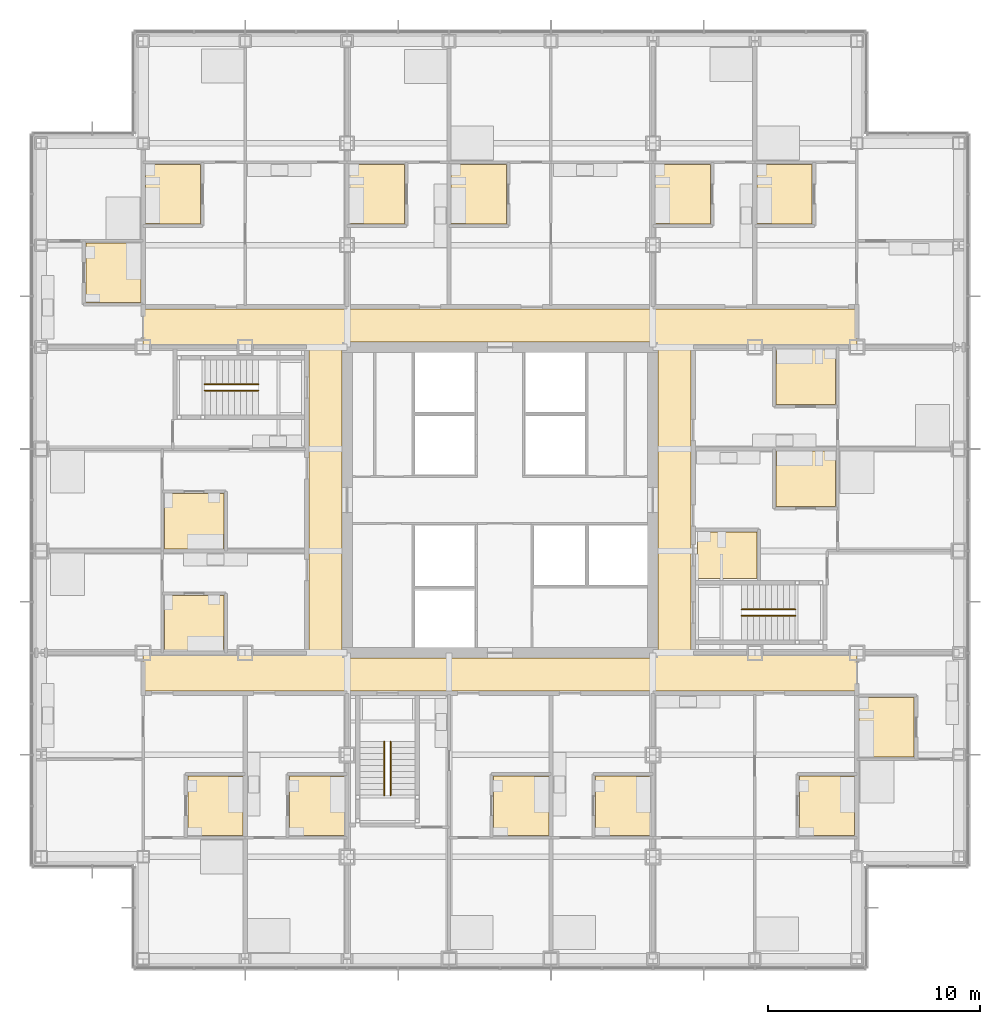
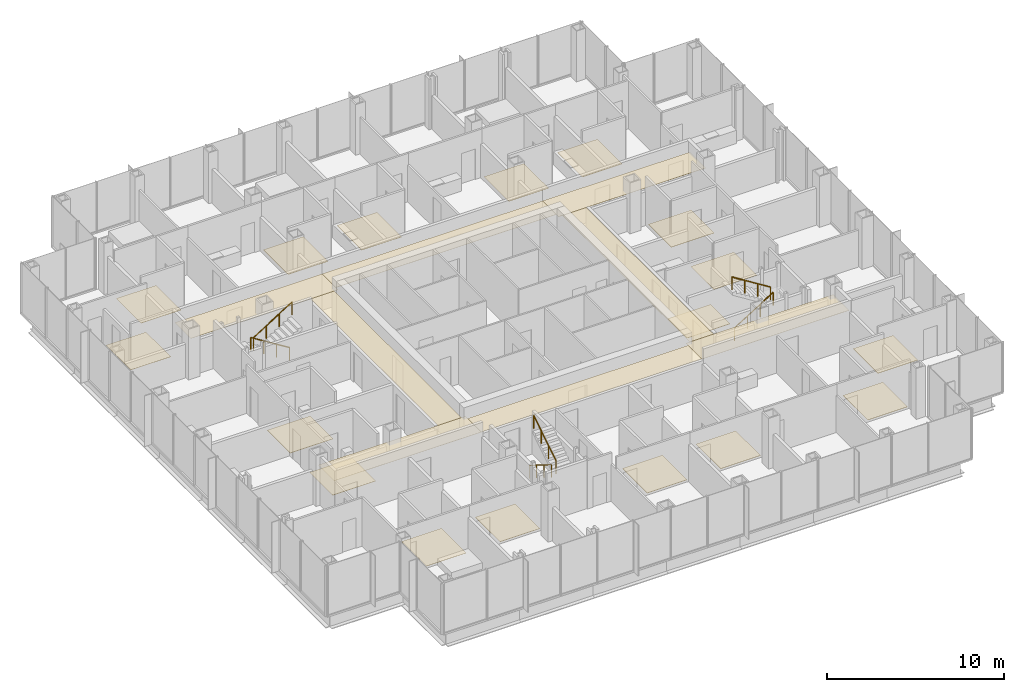
# One storey, part 19 of 21: 25 coverings, 6 railings.
"""IFC4 building model written with IfcOpenShell, lengths in metres."""

import ifcopenshell
import ifcopenshell.guid

model = None  # the IFC model being written
_history = None  # IfcOwnerHistory: only IFC2X3 demands one
_inside = {}  # id of a spatial element -> (the spatial element, [elements in it])
_under = {}  # id of a project, library or spatial element -> (it, [spatial elements below it])
_declared = {}  # id of a project -> (the project, [libraries it declares])
_typed = {}  # id of a type object -> (the type object, [elements of that type])
_made_of = {}  # id of a material, layer set ... -> (it, [elements and type objects made of it])


def new_model(schema):
    """Start an empty IFC model of exactly this schema.

    Asked for "IFC4X3", IfcOpenShell would pick the latest addendum, in which some entities
    have other attributes; the version numbers below select the first issue.
    IFC2X3 requires an IfcOwnerHistory on every rooted entity: one is made here for all.
    """
    global model, _history
    if schema == "IFC4X3":
        model = ifcopenshell.file(schema_version=(4, 3, 0, 0))
    else:
        model = ifcopenshell.file(schema=schema)
    _inside.clear()
    _under.clear()
    _declared.clear()
    _typed.clear()
    _made_of.clear()
    _history = None
    if model.schema == "IFC2X3":
        org = make("IfcOrganization", Name="unknown")
        user = make(
            "IfcPersonAndOrganization",
            ThePerson=make("IfcPerson", FamilyName="unknown"),
            TheOrganization=org,
        )
        app = make(
            "IfcApplication",
            ApplicationDeveloper=org,
            Version="unknown",
            ApplicationFullName="unknown",
            ApplicationIdentifier="unknown",
        )
        _history = make(
            "IfcOwnerHistory",
            OwningUser=user,
            OwningApplication=app,
            ChangeAction="ADDED",
            CreationDate=0,
        )
    return model


def make(cls, **values):
    """One entity of the class cls with the attributes given. An attribute that is None is left unset."""
    return model.create_entity(
        cls, **{name: value for name, value in values.items() if value is not None}
    )


def rooted(cls, **values):
    """An entity with a GlobalId (a new one), such as an element, a storey or a relation."""
    return make(cls, GlobalId=ifcopenshell.guid.new(), OwnerHistory=_history, **values)


def si_unit(unit_type, name, prefix=None):
    """IfcSIUnit, for example si_unit("LENGTHUNIT", "METRE", prefix="MILLI")."""
    return make("IfcSIUnit", UnitType=unit_type, Prefix=prefix, Name=name)


def assignment(units):
    """IfcUnitAssignment: the units of a project."""
    return None if units is None else make("IfcUnitAssignment", Units=units)


def point(xyz):
    """IfcCartesianPoint."""
    return None if xyz is None else make("IfcCartesianPoint", Coordinates=xyz)


def direction(xyz):
    """IfcDirection."""
    return None if xyz is None else make("IfcDirection", DirectionRatios=xyz)


def frame(location, z_axis=None, x_axis=None):
    """IfcAxis2Placement3D, a coordinate frame: its origin and axes. An axis left out is left unset."""
    return make(
        "IfcAxis2Placement3D",
        Location=point(location),
        Axis=direction(z_axis),
        RefDirection=direction(x_axis),
    )


def frame_2d(location, x_axis=None):
    """IfcAxis2Placement2D, a coordinate frame in the plane: its origin and x axis."""
    return make(
        "IfcAxis2Placement2D", Location=point(location), RefDirection=direction(x_axis)
    )


def origin():
    """The frame at (0, 0, 0) with its axes left unset."""
    return frame((0.0, 0.0, 0.0))


def origin_2d():
    """The frame at (0, 0) in the plane with its x axis left unset."""
    return frame_2d((0.0, 0.0))


def place(relative_to, where):
    """IfcLocalPlacement: puts the frame where relative to a parent placement (None: the world)."""
    return make(
        "IfcLocalPlacement", PlacementRelTo=relative_to, RelativePlacement=where
    )


def context(
    kind, dimensions, precision=None, world=None, true_north=None, identifier=None
):
    """IfcGeometricRepresentationContext, for example the 3D "Model" context."""
    return make(
        "IfcGeometricRepresentationContext",
        ContextIdentifier=identifier,
        ContextType=kind,
        CoordinateSpaceDimension=dimensions,
        Precision=precision,
        WorldCoordinateSystem=world,
        TrueNorth=true_north,
    )


def subcontext(parent, identifier, kind, view, scale=None):
    """IfcGeometricRepresentationSubContext, for example "Body" below "Model"."""
    return make(
        "IfcGeometricRepresentationSubContext",
        ContextIdentifier=identifier,
        ContextType=kind,
        ParentContext=parent,
        TargetScale=scale,
        TargetView=view,
    )


def project(units=None, contexts=None):
    """IfcProject with its units and contexts."""
    return rooted(
        "IfcProject",
        Name="project",
        RepresentationContexts=contexts,
        UnitsInContext=assignment(units),
    )


def spatial(cls, under=None, at=None, **own):
    """A site, building, storey or space (cls), placed at a placement, below another one or the project."""
    s = rooted(cls, ObjectPlacement=at, **own)
    if under is not None:
        _under.setdefault(under.id(), (under, []))[1].append(s)
    return s


def polyline(points):
    """IfcPolyline through the points."""
    return make("IfcPolyline", Points=[point(p) for p in points])


def profile(cls, at=None, kind="AREA", **sizes):
    """A parametric profile (cls). Its sizes go by their IFC names, for example OverallWidth=200.0."""
    return make(cls, ProfileType=kind, Position=at, **sizes)


def circle(**sizes):
    """IfcCircleProfileDef."""
    return profile("IfcCircleProfileDef", **sizes)


def outline(outer, holes=None, kind="AREA"):
    """IfcArbitraryClosedProfileDef: a profile drawn as a closed curve; with holes, ...WithVoids."""
    if holes is None:
        return make("IfcArbitraryClosedProfileDef", ProfileType=kind, OuterCurve=outer)
    return make(
        "IfcArbitraryProfileDefWithVoids",
        ProfileType=kind,
        OuterCurve=outer,
        InnerCurves=holes,
    )


def extrude(swept, where, along, depth):
    """IfcExtrudedAreaSolid: the profile swept, set in the frame where, extruded along a direction by depth."""
    return make(
        "IfcExtrudedAreaSolid",
        SweptArea=swept,
        Position=where,
        ExtrudedDirection=direction(along),
        Depth=depth,
    )


def shape(context_of_items, identifier, shape_type, items):
    """IfcShapeRepresentation: the items that make up one representation, for example the "Body"."""
    return make(
        "IfcShapeRepresentation",
        ContextOfItems=context_of_items,
        RepresentationIdentifier=identifier,
        RepresentationType=shape_type,
        Items=items,
    )


def material(Name=None, Category=None):
    """IfcMaterial."""
    return make("IfcMaterial", Name=Name, Category=Category)


def layer(
    of_material, thickness, ventilated=None, Name=None, Category=None, Priority=None
):
    """IfcMaterialLayer: one layer of a wall or slab, of a material (None: an air gap)."""
    return make(
        "IfcMaterialLayer",
        Material=of_material,
        LayerThickness=thickness,
        IsVentilated=ventilated,
        Name=Name,
        Category=Category,
        Priority=Priority,
    )


def layer_set(layers, Name=None):
    """IfcMaterialLayerSet."""
    return make("IfcMaterialLayerSet", MaterialLayers=layers, LayerSetName=Name)


def made_of(thing, what):
    """Note that an element or type object is made of a material, layer set ...; save() writes the relation."""
    if what is not None:
        _made_of.setdefault(what.id(), (what, []))[1].append(thing)
    return thing


def type_object(cls, material=None, **own):
    """A type object (cls), such as IfcWallType, which elements share."""
    return made_of(rooted(cls, **own), material)


def element(
    cls,
    number,
    at=None,
    inside=None,
    cuts=None,
    type_object=None,
    material=None,
    context=None,
    identifier="Body",
    shape_type=None,
    held_by="IfcProductDefinitionShape",
    body=None,
    shapes=None,
    **own,
):
    """One element of the class cls, such as IfcWall. Its Tag is "e" and its number.

    at: its placement. inside: the storey or other place that contains it. cuts: it is an
    opening in that element (IfcRelVoidsElement). A single representation is given by context,
    identifier, shape_type and body (its items); several are given by shapes. held_by: the class
    of the entity that holds the representations. save() writes the other relations.
    """
    e = rooted(cls, Tag="e%d" % number, ObjectPlacement=at, **own)
    if body is not None:
        shapes = [shape(context, identifier, shape_type, body)]
    if shapes is not None:
        e.Representation = make(held_by, Representations=shapes)
    if inside is not None:
        _inside.setdefault(inside.id(), (inside, []))[1].append(e)
    if cuts is not None:
        rooted(
            "IfcRelVoidsElement", RelatingBuildingElement=cuts, RelatedOpeningElement=e
        )
    if type_object is not None:
        _typed.setdefault(type_object.id(), (type_object, []))[1].append(e)
    return made_of(e, material)


def aggregate(whole, parts):
    """IfcRelAggregates: a whole, such as a stair, and the parts it consists of."""
    return rooted("IfcRelAggregates", RelatingObject=whole, RelatedObjects=parts)


def save(model, path):
    """Write the relations noted so far, then the file.

    IfcRelAggregates (storeys below a building ...), IfcRelContainedInSpatialStructure (elements
    in a storey), IfcRelDefinesByType, IfcRelAssociatesMaterial and IfcRelDeclares: one each for
    every whole, place, type object, material and project.
    """
    for whole, parts in _under.values():
        aggregate(whole, parts)
    for where, things in _inside.values():
        rooted(
            "IfcRelContainedInSpatialStructure",
            RelatedElements=things,
            RelatingStructure=where,
        )
    for kind, things in _typed.values():
        rooted("IfcRelDefinesByType", RelatedObjects=things, RelatingType=kind)
    for what, things in _made_of.values():
        rooted("IfcRelAssociatesMaterial", RelatedObjects=things, RelatingMaterial=what)
    for by, libraries in _declared.values():
        rooted("IfcRelDeclares", RelatingContext=by, RelatedDefinitions=libraries)
    model.write(path)


model = new_model("IFC4")

# Units and contexts
model_context = context("Model", 3, precision=1e-05, world=origin(), true_north=direction((0.0, 1.0)))
body_context = subcontext(model_context, "Body", "Model", "MODEL_VIEW")
ifc_project = project(units=[si_unit("LENGTHUNIT", "METRE"), si_unit("AREAUNIT", "SQUARE_METRE"), si_unit("VOLUMEUNIT", "CUBIC_METRE"), si_unit("PLANEANGLEUNIT", "RADIAN"), si_unit("MASSUNIT", "GRAM", prefix="KILO")], contexts=[model_context])

# Site, building, storey
site_placement = place(None, origin())
site = spatial("IfcSite", under=ifc_project, at=site_placement, CompositionType="ELEMENT")
building_placement = place(site_placement, origin())
building = spatial("IfcBuilding", under=site, at=building_placement, Name="Kvirike Care Tower", CompositionType="ELEMENT")
storey_placement = place(building_placement, frame((0.0, 0.0, 34.0)))
storey = spatial("IfcBuildingStorey", under=building, at=storey_placement, Name="L08", CompositionType="ELEMENT", Elevation=34.0)

# Coverings
ifc_material_1 = material(Name="Perforated metal ceiling tile", Category="aluminium")
ifc_layer_1 = layer(ifc_material_1, 0.014892578125)
ifc_layer_set_1 = layer_set([ifc_layer_1], Name="CORRIDOR CEILING 15")
covering_type_1 = type_object("IfcCoveringType", Name="CORRIDOR CEILING 15", PredefinedType="CEILING", material=ifc_layer_set_1)
covering_1_placement = place(storey_placement, frame((0.0, 0.0, 2.5)))
element("IfcCovering", 1, at=covering_1_placement, inside=storey, type_object=covering_type_1, Name="Corridor ceiling L08", PredefinedType="CEILING", context=body_context, shape_type="SweptSolid", body=[
    extrude(outline(polyline([(4.800048828125, 27.0), (4.800048828125, 28.800048828125), (14.39990234375, 28.800048828125), (14.39990234375, 27.0), (4.800048828125, 27.0)])), origin(), (0.0, 0.0, 1.0), 0.014892578125),
])
covering_2_placement = place(storey_placement, frame((0.0, 0.0, 2.5)))
element("IfcCovering", 2, at=covering_2_placement, inside=storey, type_object=covering_type_1, Name="Corridor ceiling L08", PredefinedType="CEILING", context=body_context, shape_type="SweptSolid", body=[
    extrude(outline(polyline([(12.60009765625, 43.199951171875), (14.14990234375, 43.199951171875), (14.14990234375, 28.800048828125), (12.60009765625, 28.800048828125), (12.60009765625, 43.199951171875)])), origin(), (0.0, 0.0, 1.0), 0.014892578125),
])
covering_3_placement = place(storey_placement, frame((0.0, 0.0, 2.5)))
element("IfcCovering", 3, at=covering_3_placement, inside=storey, type_object=covering_type_1, Name="Corridor ceiling L08", PredefinedType="CEILING", context=body_context, shape_type="SweptSolid", body=[
    extrude(outline(polyline([(14.39990234375, 45.0), (14.39990234375, 43.199951171875), (4.800048828125, 43.199951171875), (4.800048828125, 45.0), (14.39990234375, 45.0)])), origin(), (0.0, 0.0, 1.0), 0.014892578125),
])
covering_4_placement = place(storey_placement, frame((0.0, 0.0, 2.5)))
element("IfcCovering", 4, at=covering_4_placement, inside=storey, type_object=covering_type_1, Name="Corridor ceiling L08", PredefinedType="CEILING", context=body_context, shape_type="SweptSolid", body=[
    extrude(outline(polyline([(14.39990234375, 27.0), (14.39990234375, 28.550048828125), (28.800048828125, 28.550048828125), (28.800048828125, 27.0), (14.39990234375, 27.0)])), origin(), (0.0, 0.0, 1.0), 0.014892578125),
])
covering_5_placement = place(storey_placement, frame((0.0, 0.0, 2.5)))
element("IfcCovering", 5, at=covering_5_placement, inside=storey, type_object=covering_type_1, Name="Corridor ceiling L08", PredefinedType="CEILING", context=body_context, shape_type="SweptSolid", body=[
    extrude(outline(polyline([(28.800048828125, 45.0), (28.800048828125, 43.449951171875), (14.39990234375, 43.449951171875), (14.39990234375, 45.0), (28.800048828125, 45.0)])), origin(), (0.0, 0.0, 1.0), 0.014892578125),
])
covering_6_placement = place(storey_placement, frame((0.0, 0.0, 2.5)))
element("IfcCovering", 6, at=covering_6_placement, inside=storey, type_object=covering_type_1, Name="Corridor ceiling L08", PredefinedType="CEILING", context=body_context, shape_type="SweptSolid", body=[
    extrude(outline(polyline([(28.800048828125, 27.0), (28.800048828125, 28.800048828125), (38.39990234375, 28.800048828125), (38.39990234375, 27.0), (28.800048828125, 27.0)])), origin(), (0.0, 0.0, 1.0), 0.014892578125),
])
covering_7_placement = place(storey_placement, frame((0.0, 0.0, 2.5)))
element("IfcCovering", 7, at=covering_7_placement, inside=storey, type_object=covering_type_1, Name="Corridor ceiling L08", PredefinedType="CEILING", context=body_context, shape_type="SweptSolid", body=[
    extrude(outline(polyline([(30.60009765625, 28.800048828125), (29.050048828125, 28.800048828125), (29.050048828125, 43.199951171875), (30.60009765625, 43.199951171875), (30.60009765625, 28.800048828125)])), origin(), (0.0, 0.0, 1.0), 0.014892578125),
])
covering_8_placement = place(storey_placement, frame((0.0, 0.0, 2.5)))
element("IfcCovering", 8, at=covering_8_placement, inside=storey, type_object=covering_type_1, Name="Corridor ceiling L08", PredefinedType="CEILING", context=body_context, shape_type="SweptSolid", body=[
    extrude(outline(polyline([(38.39990234375, 45.0), (38.39990234375, 43.199951171875), (28.800048828125, 43.199951171875), (28.800048828125, 45.0), (38.39990234375, 45.0)])), origin(), (0.0, 0.0, 1.0), 0.014892578125),
])

# Railings
ifc_material_2 = material(Name="Stainless steel handrail", Category="steel")
railing_type = type_object("IfcRailingType", Name="STAIR HANDRAIL 900", PredefinedType="HANDRAIL", material=ifc_material_2)
railing_1_placement = place(storey_placement, frame((10.219970703125, 41.449951171875, 0.175048828125)))
element("IfcRailing", 9, at=railing_1_placement, inside=storey, type_object=railing_type, Name="Stair 1 handrail L08 flight 1", PredefinedType="HANDRAIL", context=body_context, shape_type="SweptSolid", body=[
    extrude(circle(Radius=0.02490234375, at=origin_2d()), frame((0.0, 0.0, 0.875), z_axis=(-0.848007534815, 0.0, 0.529984170421), x_axis=(0.0, -1.0, 0.0)), (0.0, 0.0, 1.0), 2.9716796875),
    extrude(circle(Radius=0.02001953125, at=origin_2d()), origin(), (0.0, 0.0, 1.0), 0.849853515625),
    extrude(circle(Radius=0.02001953125, at=origin_2d()), frame((-0.840087890625, 0.0, 0.52490234375)), (0.0, 0.0, 1.0), 0.849853515625),
    extrude(circle(Radius=0.02001953125, at=origin_2d()), frame((-1.679931640625, 0.0, 1.050048828125)), (0.0, 0.0, 1.0), 0.849853515625),
    extrude(circle(Radius=0.02001953125, at=origin_2d()), frame((-2.52001953125, 0.0, 1.574951171875)), (0.0, 0.0, 1.0), 0.849853515625),
])
for number, where, name in (
    (10, (7.699951171875, 41.14990234375, 1.925048828125), "Stair 1 handrail L08 flight 2"),
    (11, (32.97998046875, 30.550048828125, 0.175048828125), "Stair 2 handrail L08 flight 1"),
):
    element("IfcRailing", number, at=place(storey_placement, frame(where)), inside=storey, type_object=railing_type, Name=name, PredefinedType="HANDRAIL", context=body_context, shape_type="SweptSolid", body=[
        extrude(circle(Radius=0.02490234375, at=origin_2d()), frame((0.0, 0.0, 0.875), z_axis=(0.848007534815, 0.0, 0.529984170421), x_axis=(0.0, 1.0, 0.0)), (0.0, 0.0, 1.0), 2.9716796875),
        extrude(circle(Radius=0.02001953125, at=origin_2d()), origin(), (0.0, 0.0, 1.0), 0.849853515625),
        extrude(circle(Radius=0.02001953125, at=origin_2d()), frame((0.840087890625, 0.0, 0.52490234375)), (0.0, 0.0, 1.0), 0.849853515625),
        extrude(circle(Radius=0.02001953125, at=origin_2d()), frame((1.679931640625, 0.0, 1.050048828125)), (0.0, 0.0, 1.0), 0.849853515625),
        extrude(circle(Radius=0.02001953125, at=origin_2d()), frame((2.52001953125, 0.0, 1.574951171875)), (0.0, 0.0, 1.0), 0.849853515625),
    ])
railing_2_placement = place(storey_placement, frame((35.5, 30.85009765625, 1.925048828125)))
element("IfcRailing", 12, at=railing_2_placement, inside=storey, type_object=railing_type, Name="Stair 2 handrail L08 flight 2", PredefinedType="HANDRAIL", context=body_context, shape_type="SweptSolid", body=[
    extrude(circle(Radius=0.02490234375, at=origin_2d()), frame((0.0, 0.0, 0.875), z_axis=(-0.848007534815, 0.0, 0.529984170421), x_axis=(0.0, -1.0, 0.0)), (0.0, 0.0, 1.0), 2.9716796875),
    extrude(circle(Radius=0.02001953125, at=origin_2d()), origin(), (0.0, 0.0, 1.0), 0.849853515625),
    extrude(circle(Radius=0.02001953125, at=origin_2d()), frame((-0.840087890625, 0.0, 0.52490234375)), (0.0, 0.0, 1.0), 0.849853515625),
    extrude(circle(Radius=0.02001953125, at=origin_2d()), frame((-1.679931640625, 0.0, 1.050048828125)), (0.0, 0.0, 1.0), 0.849853515625),
    extrude(circle(Radius=0.02001953125, at=origin_2d()), frame((-2.52001953125, 0.0, 1.574951171875)), (0.0, 0.0, 1.0), 0.849853515625),
])
railing_3_placement = place(storey_placement, frame((16.14990234375, 24.6201171875, 0.175048828125)))
element("IfcRailing", 13, at=railing_3_placement, inside=storey, type_object=railing_type, Name="Stair 5 handrail L08 flight 1", PredefinedType="HANDRAIL", context=body_context, shape_type="SweptSolid", body=[
    extrude(circle(Radius=0.02490234375, at=origin_2d()), frame((0.0, 0.0, 0.875), z_axis=(0.0, -0.848007534815, 0.529984170421), x_axis=(1.0, 0.0, 0.0)), (0.0, 0.0, 1.0), 2.9716796875),
    extrude(circle(Radius=0.02001953125, at=origin_2d()), origin(), (0.0, 0.0, 1.0), 0.849853515625),
    extrude(circle(Radius=0.02001953125, at=origin_2d()), frame((0.0, -0.840087890625, 0.52490234375)), (0.0, 0.0, 1.0), 0.849853515625),
    extrude(circle(Radius=0.02001953125, at=origin_2d()), frame((0.0, -1.679931640625, 1.050048828125)), (0.0, 0.0, 1.0), 0.849853515625),
    extrude(circle(Radius=0.02001953125, at=origin_2d()), frame((0.0, -2.52001953125, 1.574951171875)), (0.0, 0.0, 1.0), 0.849853515625),
])
railing_4_placement = place(storey_placement, frame((16.449951171875, 22.10009765625, 1.925048828125)))
element("IfcRailing", 14, at=railing_4_placement, inside=storey, type_object=railing_type, Name="Stair 5 handrail L08 flight 2", PredefinedType="HANDRAIL", context=body_context, shape_type="SweptSolid", body=[
    extrude(circle(Radius=0.02490234375, at=origin_2d()), frame((0.0, 0.0, 0.875), z_axis=(0.0, 0.848007534815, 0.529984170421), x_axis=(-1.0, 0.0, 0.0)), (0.0, 0.0, 1.0), 2.9716796875),
    extrude(circle(Radius=0.02001953125, at=origin_2d()), origin(), (0.0, 0.0, 1.0), 0.849853515625),
    extrude(circle(Radius=0.02001953125, at=origin_2d()), frame((0.0, 0.840087890625, 0.52490234375)), (0.0, 0.0, 1.0), 0.849853515625),
    extrude(circle(Radius=0.02001953125, at=origin_2d()), frame((0.0, 1.679931640625, 1.050048828125)), (0.0, 0.0, 1.0), 0.849853515625),
    extrude(circle(Radius=0.02001953125, at=origin_2d()), frame((0.0, 2.52001953125, 1.574951171875)), (0.0, 0.0, 1.0), 0.849853515625),
])

# Coverings
ifc_material_3 = material(Name="Slip-resistant vinyl safety flooring on screed")
ifc_layer_2 = layer(ifc_material_3, 0.02001953125)
ifc_layer_set_2 = layer_set([ifc_layer_2], Name="WET ROOM FLOOR 20")
covering_type_2 = type_object("IfcCoveringType", Name="WET ROOM FLOOR 20", PredefinedType="FLOORING", material=ifc_layer_set_2)
covering_9_placement = place(storey_placement, origin())
element("IfcCovering", 15, at=covering_9_placement, inside=storey, type_object=covering_type_2, Name="Bathroom floor L08-004", PredefinedType="FLOORING", context=body_context, shape_type="SweptSolid", body=[
    extrude(outline(polyline([(6.89990234375, 20.199951171875), (6.89990234375, 23.0), (9.5, 23.0), (9.5, 20.199951171875), (6.89990234375, 20.199951171875)])), origin(), (0.0, 0.0, 1.0), 0.02001953125),
])
covering_10_placement = place(storey_placement, origin())
element("IfcCovering", 16, at=covering_10_placement, inside=storey, type_object=covering_type_2, Name="Bathroom floor L08-008", PredefinedType="FLOORING", context=body_context, shape_type="SweptSolid", body=[
    extrude(outline(polyline([(11.699951171875, 20.199951171875), (11.699951171875, 23.0), (14.300048828125, 23.0), (14.300048828125, 20.199951171875), (11.699951171875, 20.199951171875)])), origin(), (0.0, 0.0, 1.0), 0.02001953125),
])
covering_11_placement = place(storey_placement, origin())
element("IfcCovering", 17, at=covering_11_placement, inside=storey, type_object=covering_type_2, Name="Bathroom floor L08-014", PredefinedType="FLOORING", context=body_context, shape_type="SweptSolid", body=[
    extrude(outline(polyline([(5.800048828125, 36.300048828125), (8.60009765625, 36.300048828125), (8.60009765625, 33.699951171875), (5.800048828125, 33.699951171875), (5.800048828125, 36.300048828125)])), origin(), (0.0, 0.0, 1.0), 0.02001953125),
])
covering_12_placement = place(storey_placement, origin())
element("IfcCovering", 18, at=covering_12_placement, inside=storey, type_object=covering_type_2, Name="Bathroom floor L08-018", PredefinedType="FLOORING", context=body_context, shape_type="SweptSolid", body=[
    extrude(outline(polyline([(5.800048828125, 31.5), (8.60009765625, 31.5), (8.60009765625, 28.89990234375), (5.800048828125, 28.89990234375), (5.800048828125, 31.5)])), origin(), (0.0, 0.0, 1.0), 0.02001953125),
])
covering_13_placement = place(storey_placement, origin())
element("IfcCovering", 19, at=covering_13_placement, inside=storey, type_object=covering_type_2, Name="Bathroom floor L08-023", PredefinedType="FLOORING", context=body_context, shape_type="SweptSolid", body=[
    extrude(outline(polyline([(7.5, 51.800048828125), (7.5, 49.0), (4.89990234375, 49.0), (4.89990234375, 51.800048828125), (7.5, 51.800048828125)])), origin(), (0.0, 0.0, 1.0), 0.02001953125),
])
covering_14_placement = place(storey_placement, origin())
element("IfcCovering", 20, at=covering_14_placement, inside=storey, type_object=covering_type_2, Name="Bathroom floor L08-027", PredefinedType="FLOORING", context=body_context, shape_type="SweptSolid", body=[
    extrude(outline(polyline([(4.699951171875, 48.10009765625), (4.699951171875, 45.300048828125), (2.10009765625, 45.300048828125), (2.10009765625, 48.10009765625), (4.699951171875, 48.10009765625)])), origin(), (0.0, 0.0, 1.0), 0.02001953125),
])
covering_15_placement = place(storey_placement, origin())
element("IfcCovering", 21, at=covering_15_placement, inside=storey, type_object=covering_type_2, Name="Bathroom floor L08-033", PredefinedType="FLOORING", context=body_context, shape_type="SweptSolid", body=[
    extrude(outline(polyline([(21.300048828125, 20.199951171875), (21.300048828125, 23.0), (23.89990234375, 23.0), (23.89990234375, 20.199951171875), (21.300048828125, 20.199951171875)])), origin(), (0.0, 0.0, 1.0), 0.02001953125),
])
covering_16_placement = place(storey_placement, origin())
element("IfcCovering", 22, at=covering_16_placement, inside=storey, type_object=covering_type_2, Name="Bathroom floor L08-037", PredefinedType="FLOORING", context=body_context, shape_type="SweptSolid", body=[
    extrude(outline(polyline([(26.10009765625, 20.199951171875), (26.10009765625, 23.0), (28.699951171875, 23.0), (28.699951171875, 20.199951171875), (26.10009765625, 20.199951171875)])), origin(), (0.0, 0.0, 1.0), 0.02001953125),
])
covering_17_placement = place(storey_placement, origin())
element("IfcCovering", 23, at=covering_17_placement, inside=storey, type_object=covering_type_2, Name="Bathroom floor L08-042", PredefinedType="FLOORING", context=body_context, shape_type="SweptSolid", body=[
    extrude(outline(polyline([(21.89990234375, 51.800048828125), (21.89990234375, 49.0), (19.300048828125, 49.0), (19.300048828125, 51.800048828125), (21.89990234375, 51.800048828125)])), origin(), (0.0, 0.0, 1.0), 0.02001953125),
])
covering_18_placement = place(storey_placement, origin())
element("IfcCovering", 24, at=covering_18_placement, inside=storey, type_object=covering_type_2, Name="Bathroom floor L08-046", PredefinedType="FLOORING", context=body_context, shape_type="SweptSolid", body=[
    extrude(outline(polyline([(17.10009765625, 51.800048828125), (17.10009765625, 49.0), (14.5, 49.0), (14.5, 51.800048828125), (17.10009765625, 51.800048828125)])), origin(), (0.0, 0.0, 1.0), 0.02001953125),
])
covering_19_placement = place(storey_placement, origin())
element("IfcCovering", 25, at=covering_19_placement, inside=storey, type_object=covering_type_2, Name="Bathroom floor L08-051", PredefinedType="FLOORING", context=body_context, shape_type="SweptSolid", body=[
    extrude(outline(polyline([(35.699951171875, 20.199951171875), (35.699951171875, 23.0), (38.300048828125, 23.0), (38.300048828125, 20.199951171875), (35.699951171875, 20.199951171875)])), origin(), (0.0, 0.0, 1.0), 0.02001953125),
])
covering_20_placement = place(storey_placement, origin())
element("IfcCovering", 26, at=covering_20_placement, inside=storey, type_object=covering_type_2, Name="Bathroom floor L08-055", PredefinedType="FLOORING", context=body_context, shape_type="SweptSolid", body=[
    extrude(outline(polyline([(38.5, 23.89990234375), (38.5, 26.699951171875), (41.10009765625, 26.699951171875), (41.10009765625, 23.89990234375), (38.5, 23.89990234375)])), origin(), (0.0, 0.0, 1.0), 0.02001953125),
])
covering_21_placement = place(storey_placement, origin())
element("IfcCovering", 27, at=covering_21_placement, inside=storey, type_object=covering_type_2, Name="Accessible WC floor L08-061", PredefinedType="FLOORING", context=body_context, shape_type="SweptSolid", body=[
    extrude(outline(polyline([(33.699951171875, 32.300048828125), (30.89990234375, 32.300048828125), (30.89990234375, 34.5), (33.699951171875, 34.5), (33.699951171875, 32.300048828125)])), origin(), (0.0, 0.0, 1.0), 0.02001953125),
])
covering_22_placement = place(storey_placement, origin())
element("IfcCovering", 28, at=covering_22_placement, inside=storey, type_object=covering_type_2, Name="Bathroom floor L08-062", PredefinedType="FLOORING", context=body_context, shape_type="SweptSolid", body=[
    extrude(outline(polyline([(37.39990234375, 35.699951171875), (34.60009765625, 35.699951171875), (34.60009765625, 38.300048828125), (37.39990234375, 38.300048828125), (37.39990234375, 35.699951171875)])), origin(), (0.0, 0.0, 1.0), 0.02001953125),
])
covering_23_placement = place(storey_placement, origin())
element("IfcCovering", 29, at=covering_23_placement, inside=storey, type_object=covering_type_2, Name="Bathroom floor L08-065", PredefinedType="FLOORING", context=body_context, shape_type="SweptSolid", body=[
    extrude(outline(polyline([(37.39990234375, 40.5), (34.60009765625, 40.5), (34.60009765625, 43.10009765625), (37.39990234375, 43.10009765625), (37.39990234375, 40.5)])), origin(), (0.0, 0.0, 1.0), 0.02001953125),
])
covering_24_placement = place(storey_placement, origin())
element("IfcCovering", 30, at=covering_24_placement, inside=storey, type_object=covering_type_2, Name="Bathroom floor L08-070", PredefinedType="FLOORING", context=body_context, shape_type="SweptSolid", body=[
    extrude(outline(polyline([(36.300048828125, 51.800048828125), (36.300048828125, 49.0), (33.699951171875, 49.0), (33.699951171875, 51.800048828125), (36.300048828125, 51.800048828125)])), origin(), (0.0, 0.0, 1.0), 0.02001953125),
])
covering_25_placement = place(storey_placement, origin())
element("IfcCovering", 31, at=covering_25_placement, inside=storey, type_object=covering_type_2, Name="Bathroom floor L08-074", PredefinedType="FLOORING", context=body_context, shape_type="SweptSolid", body=[
    extrude(outline(polyline([(31.5, 51.800048828125), (31.5, 49.0), (28.89990234375, 49.0), (28.89990234375, 51.800048828125), (31.5, 51.800048828125)])), origin(), (0.0, 0.0, 1.0), 0.02001953125),
])

save(model, "model.ifc")
